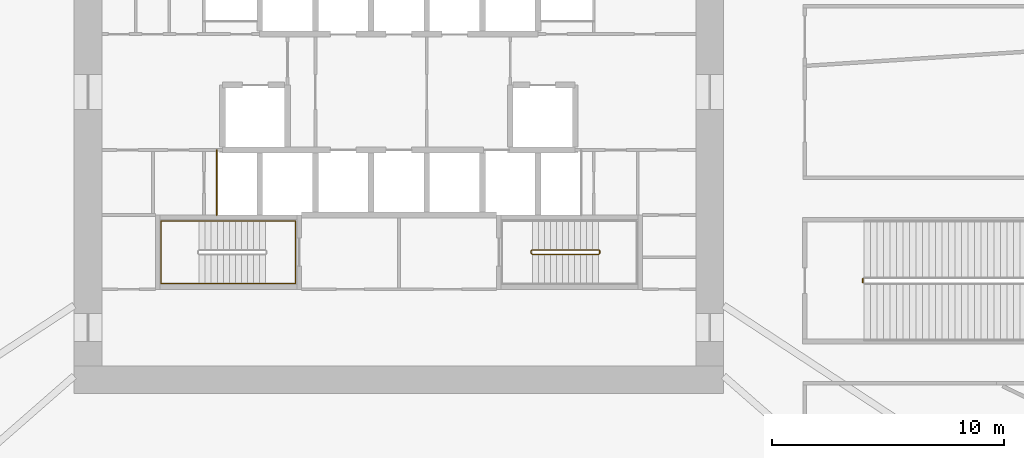
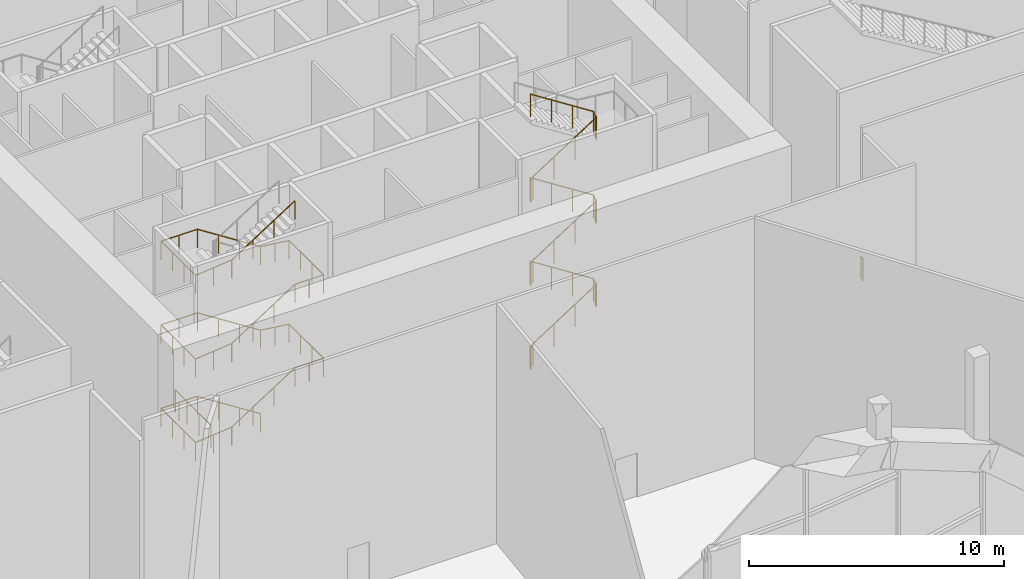
# One storey, part 14 of 21: 4 railings.
"""IFC4 building model written with IfcOpenShell, lengths in metres."""

from ifc_helpers import new_model, si_unit, direction, frame, origin, origin_2d, place, context, subcontext, project, spatial, circle, extrude, source, transform, mapped, material, type_object, element, save


model = new_model("IFC4")

# Units and contexts
model_context = context("Model", 3, precision=1e-05, world=origin(), true_north=direction((0.0, 1.0)))
body_context = subcontext(model_context, "Body", "Model", "MODEL_VIEW")
ifc_project = project(units=[si_unit("LENGTHUNIT", "METRE"), si_unit("AREAUNIT", "SQUARE_METRE"), si_unit("VOLUMEUNIT", "CUBIC_METRE"), si_unit("PLANEANGLEUNIT", "RADIAN"), si_unit("MASSUNIT", "GRAM", prefix="KILO")], contexts=[model_context])

# Site, building, storey
site_placement = place(None, origin())
site = spatial("IfcSite", under=ifc_project, at=site_placement, CompositionType="ELEMENT")
building_placement = place(site_placement, origin())
building = spatial("IfcBuilding", under=site, at=building_placement, Name="Embergate Tower", CompositionType="ELEMENT")
storey_placement = place(building_placement, frame((0.0, 0.0, 12.0)))
storey = spatial("IfcBuildingStorey", under=building, at=storey_placement, Name="L01", CompositionType="ELEMENT", Elevation=12.0)

# Railings
ifc_material_1 = material(Name="Stair handrail 900")
railing_type_1 = type_object("IfcRailingType", Name="Stair handrail 900", PredefinedType="HANDRAIL", material=ifc_material_1)
shared_shape_1 = source(origin(), body_context, "Body", "SweptSolid", [
    extrude(circle(Radius=0.02392578125, at=origin_2d()), frame((0.0, 0.0, 0.8759765625), z_axis=(-0.841899231129, 0.0, 0.539634769658), x_axis=(0.0, -1.0, 0.0)), (0.0, 0.0, 1.0), 3.397216796875),
    extrude(circle(Radius=0.02392578125, at=origin_2d()), frame((-2.860107421875, 0.0, 2.708984375), z_axis=(-1.0, 0.0, 0.0), x_axis=(0.0, -1.0, 0.0)), (0.0, 0.0, 1.0), 1.639892578125),
    extrude(circle(Radius=0.02392578125, at=origin_2d()), frame((-4.5, 0.0, 2.708984375), z_axis=(0.0, -1.0, 0.0), x_axis=(1.0, 0.0, 0.0)), (0.0, 0.0, 1.0), 2.699951171875),
    extrude(circle(Radius=0.02392578125, at=origin_2d()), frame((-4.5, -2.699951171875, 2.708984375), z_axis=(0.99487010061, 0.0, 0.101160678683), x_axis=(0.0, 1.0, 0.0)), (0.0, 0.0, 1.0), 1.6484375),
    extrude(circle(Radius=0.02392578125, at=origin_2d()), frame((-2.860107421875, -2.699951171875, 2.8759765625), z_axis=(0.841899231129, 0.0, 0.539634769658), x_axis=(0.0, 1.0, 0.0)), (0.0, 0.0, 1.0), 3.397216796875),
    extrude(circle(Radius=0.02392578125, at=origin_2d()), frame((0.0, -2.699951171875, 4.708984375), z_axis=(1.0, 0.0, 0.0), x_axis=(0.0, 1.0, 0.0)), (0.0, 0.0, 1.0), 1.300048828125),
    extrude(circle(Radius=0.02392578125, at=origin_2d()), frame((1.300048828125, -2.699951171875, 4.708984375), z_axis=(0.0, 1.0, 0.0), x_axis=(-1.0, 0.0, 0.0)), (0.0, 0.0, 1.0), 2.699951171875),
    extrude(circle(Radius=0.02392578125, at=origin_2d()), frame((1.300048828125, 0.0, 4.708984375), z_axis=(-0.991874434073, 0.0, 0.12722070206), x_axis=(0.0, -1.0, 0.0)), (0.0, 0.0, 1.0), 1.310791015625),
    extrude(circle(Radius=0.02392578125, at=origin_2d()), frame((0.0, 0.0, 4.8759765625), z_axis=(-0.841899231129, 0.0, 0.539634769658), x_axis=(0.0, -1.0, 0.0)), (0.0, 0.0, 1.0), 3.397216796875),
    extrude(circle(Radius=0.02392578125, at=origin_2d()), frame((-2.860107421875, 0.0, 6.708984375), z_axis=(-1.0, 0.0, 0.0), x_axis=(0.0, -1.0, 0.0)), (0.0, 0.0, 1.0), 1.639892578125),
    extrude(circle(Radius=0.02392578125, at=origin_2d()), frame((-4.5, 0.0, 6.708984375), z_axis=(0.0, -1.0, 0.0), x_axis=(1.0, 0.0, 0.0)), (0.0, 0.0, 1.0), 2.699951171875),
    extrude(circle(Radius=0.02392578125, at=origin_2d()), frame((-4.5, -2.699951171875, 6.708984375), z_axis=(0.99487010061, 0.0, 0.101160678683), x_axis=(0.0, 1.0, 0.0)), (0.0, 0.0, 1.0), 1.6484375),
    extrude(circle(Radius=0.02392578125, at=origin_2d()), frame((-2.860107421875, -2.699951171875, 6.8759765625), z_axis=(0.841899231129, 0.0, 0.539634769658), x_axis=(0.0, 1.0, 0.0)), (0.0, 0.0, 1.0), 3.397216796875),
    extrude(circle(Radius=0.02392578125, at=origin_2d()), frame((0.0, -2.699951171875, 8.708984375), z_axis=(1.0, 0.0, 0.0), x_axis=(0.0, 1.0, 0.0)), (0.0, 0.0, 1.0), 1.300048828125),
    extrude(circle(Radius=0.02392578125, at=origin_2d()), frame((1.300048828125, -2.699951171875, 8.708984375), z_axis=(0.0, 1.0, 0.0), x_axis=(-1.0, 0.0, 0.0)), (0.0, 0.0, 1.0), 2.699951171875),
    extrude(circle(Radius=0.02392578125, at=origin_2d()), frame((1.300048828125, 0.0, 8.708984375), z_axis=(-0.991874434073, 0.0, 0.12722070206), x_axis=(0.0, -1.0, 0.0)), (0.0, 0.0, 1.0), 1.310791015625),
    extrude(circle(Radius=0.02392578125, at=origin_2d()), frame((0.0, 0.0, 8.8759765625), z_axis=(-0.841899231129, 0.0, 0.539634769658), x_axis=(0.0, -1.0, 0.0)), (0.0, 0.0, 1.0), 3.397216796875),
    extrude(circle(Radius=0.02392578125, at=origin_2d()), frame((-2.860107421875, 0.0, 10.708984375), z_axis=(-1.0, 0.0, 0.0), x_axis=(0.0, -1.0, 0.0)), (0.0, 0.0, 1.0), 1.639892578125),
    extrude(circle(Radius=0.02392578125, at=origin_2d()), frame((-4.5, 0.0, 10.708984375), z_axis=(0.0, -1.0, 0.0), x_axis=(1.0, 0.0, 0.0)), (0.0, 0.0, 1.0), 2.699951171875),
    extrude(circle(Radius=0.02392578125, at=origin_2d()), frame((-4.5, -2.699951171875, 10.708984375), z_axis=(0.99487010061, 0.0, 0.101160678683), x_axis=(0.0, 1.0, 0.0)), (0.0, 0.0, 1.0), 1.6484375),
    extrude(circle(Radius=0.02392578125, at=origin_2d()), frame((-2.860107421875, -2.699951171875, 10.8759765625), z_axis=(0.841899231129, 0.0, 0.539634769658), x_axis=(0.0, 1.0, 0.0)), (0.0, 0.0, 1.0), 3.397216796875),
    extrude(circle(Radius=0.02099609375, at=origin_2d()), origin(), (0.0, 0.0, 1.0), 0.851806640625),
    extrude(circle(Radius=0.02099609375, at=origin_2d()), frame((-0.953369140625, 0.0, 0.611083984375)), (0.0, 0.0, 1.0), 0.851806640625),
    extrude(circle(Radius=0.02099609375, at=origin_2d()), frame((-1.90673828125, 0.0, 1.22216796875)), (0.0, 0.0, 1.0), 0.851806640625),
    extrude(circle(Radius=0.02099609375, at=origin_2d()), frame((-2.860107421875, 0.0, 1.833251953125)), (0.0, 0.0, 1.0), 0.851806640625),
    extrude(circle(Radius=0.02099609375, at=origin_2d()), frame((-3.68017578125, 0.0, 1.833251953125)), (0.0, 0.0, 1.0), 0.851806640625),
    extrude(circle(Radius=0.02099609375, at=origin_2d()), frame((-4.5, 0.0, 1.833251953125)), (0.0, 0.0, 1.0), 0.851806640625),
    extrude(circle(Radius=0.02099609375, at=origin_2d()), frame((-4.5, -0.89990234375, 1.833251953125)), (0.0, 0.0, 1.0), 0.851806640625),
    extrude(circle(Radius=0.02099609375, at=origin_2d()), frame((-4.5, -1.800048828125, 1.833251953125)), (0.0, 0.0, 1.0), 0.851806640625),
    extrude(circle(Radius=0.02099609375, at=origin_2d()), frame((-4.5, -2.699951171875, 1.833251953125)), (0.0, 0.0, 1.0), 0.851806640625),
    extrude(circle(Radius=0.02099609375, at=origin_2d()), frame((-3.68017578125, -2.699951171875, 1.91650390625)), (0.0, 0.0, 1.0), 0.851806640625),
    extrude(circle(Radius=0.02099609375, at=origin_2d()), frame((-2.860107421875, -2.699951171875, 2.0)), (0.0, 0.0, 1.0), 0.851806640625),
    extrude(circle(Radius=0.02099609375, at=origin_2d()), frame((-1.90673828125, -2.699951171875, 2.611083984375)), (0.0, 0.0, 1.0), 0.851806640625),
    extrude(circle(Radius=0.02099609375, at=origin_2d()), frame((-0.953369140625, -2.699951171875, 3.22216796875)), (0.0, 0.0, 1.0), 0.851806640625),
    extrude(circle(Radius=0.02099609375, at=origin_2d()), frame((0.0, -2.699951171875, 3.833251953125)), (0.0, 0.0, 1.0), 0.851806640625),
    extrude(circle(Radius=0.02099609375, at=origin_2d()), frame((0.64990234375, -2.699951171875, 3.833251953125)), (0.0, 0.0, 1.0), 0.851806640625),
    extrude(circle(Radius=0.02099609375, at=origin_2d()), frame((1.300048828125, -2.699951171875, 3.833251953125)), (0.0, 0.0, 1.0), 0.851806640625),
    extrude(circle(Radius=0.02099609375, at=origin_2d()), frame((1.300048828125, -1.800048828125, 3.833251953125)), (0.0, 0.0, 1.0), 0.851806640625),
    extrude(circle(Radius=0.02099609375, at=origin_2d()), frame((1.300048828125, -0.89990234375, 3.833251953125)), (0.0, 0.0, 1.0), 0.851806640625),
    extrude(circle(Radius=0.02099609375, at=origin_2d()), frame((1.300048828125, 0.0, 3.833251953125)), (0.0, 0.0, 1.0), 0.851806640625),
    extrude(circle(Radius=0.02099609375, at=origin_2d()), frame((0.64990234375, 0.0, 3.91650390625)), (0.0, 0.0, 1.0), 0.851806640625),
    extrude(circle(Radius=0.02099609375, at=origin_2d()), frame((0.0, 0.0, 4.0)), (0.0, 0.0, 1.0), 0.851806640625),
    extrude(circle(Radius=0.02099609375, at=origin_2d()), frame((-0.953369140625, 0.0, 4.611083984375)), (0.0, 0.0, 1.0), 0.851806640625),
    extrude(circle(Radius=0.02099609375, at=origin_2d()), frame((-1.90673828125, 0.0, 5.22216796875)), (0.0, 0.0, 1.0), 0.851806640625),
    extrude(circle(Radius=0.02099609375, at=origin_2d()), frame((-2.860107421875, 0.0, 5.833251953125)), (0.0, 0.0, 1.0), 0.851806640625),
    extrude(circle(Radius=0.02099609375, at=origin_2d()), frame((-3.68017578125, 0.0, 5.833251953125)), (0.0, 0.0, 1.0), 0.851806640625),
    extrude(circle(Radius=0.02099609375, at=origin_2d()), frame((-4.5, 0.0, 5.833251953125)), (0.0, 0.0, 1.0), 0.851806640625),
    extrude(circle(Radius=0.02099609375, at=origin_2d()), frame((-4.5, -0.89990234375, 5.833251953125)), (0.0, 0.0, 1.0), 0.851806640625),
    extrude(circle(Radius=0.02099609375, at=origin_2d()), frame((-4.5, -1.800048828125, 5.833251953125)), (0.0, 0.0, 1.0), 0.851806640625),
    extrude(circle(Radius=0.02099609375, at=origin_2d()), frame((-4.5, -2.699951171875, 5.833251953125)), (0.0, 0.0, 1.0), 0.851806640625),
    extrude(circle(Radius=0.02099609375, at=origin_2d()), frame((-3.68017578125, -2.699951171875, 5.91650390625)), (0.0, 0.0, 1.0), 0.851806640625),
    extrude(circle(Radius=0.02099609375, at=origin_2d()), frame((-2.860107421875, -2.699951171875, 6.0)), (0.0, 0.0, 1.0), 0.851806640625),
    extrude(circle(Radius=0.02099609375, at=origin_2d()), frame((-1.90673828125, -2.699951171875, 6.611083984375)), (0.0, 0.0, 1.0), 0.851806640625),
    extrude(circle(Radius=0.02099609375, at=origin_2d()), frame((-0.953369140625, -2.699951171875, 7.22216796875)), (0.0, 0.0, 1.0), 0.851806640625),
    extrude(circle(Radius=0.02099609375, at=origin_2d()), frame((0.0, -2.699951171875, 7.833251953125)), (0.0, 0.0, 1.0), 0.851806640625),
    extrude(circle(Radius=0.02099609375, at=origin_2d()), frame((0.64990234375, -2.699951171875, 7.833251953125)), (0.0, 0.0, 1.0), 0.851806640625),
    extrude(circle(Radius=0.02099609375, at=origin_2d()), frame((1.300048828125, -2.699951171875, 7.833251953125)), (0.0, 0.0, 1.0), 0.851806640625),
    extrude(circle(Radius=0.02099609375, at=origin_2d()), frame((1.300048828125, -1.800048828125, 7.833251953125)), (0.0, 0.0, 1.0), 0.851806640625),
    extrude(circle(Radius=0.02099609375, at=origin_2d()), frame((1.300048828125, -0.89990234375, 7.833251953125)), (0.0, 0.0, 1.0), 0.851806640625),
    extrude(circle(Radius=0.02099609375, at=origin_2d()), frame((1.300048828125, 0.0, 7.833251953125)), (0.0, 0.0, 1.0), 0.851806640625),
    extrude(circle(Radius=0.02099609375, at=origin_2d()), frame((0.64990234375, 0.0, 7.91650390625)), (0.0, 0.0, 1.0), 0.851806640625),
    extrude(circle(Radius=0.02099609375, at=origin_2d()), frame((0.0, 0.0, 8.0)), (0.0, 0.0, 1.0), 0.851806640625),
    extrude(circle(Radius=0.02099609375, at=origin_2d()), frame((-0.953369140625, 0.0, 8.611083984375)), (0.0, 0.0, 1.0), 0.851806640625),
    extrude(circle(Radius=0.02099609375, at=origin_2d()), frame((-1.90673828125, 0.0, 9.22216796875)), (0.0, 0.0, 1.0), 0.851806640625),
    extrude(circle(Radius=0.02099609375, at=origin_2d()), frame((-2.860107421875, 0.0, 9.833251953125)), (0.0, 0.0, 1.0), 0.851806640625),
    extrude(circle(Radius=0.02099609375, at=origin_2d()), frame((-3.68017578125, 0.0, 9.833251953125)), (0.0, 0.0, 1.0), 0.851806640625),
    extrude(circle(Radius=0.02099609375, at=origin_2d()), frame((-4.5, 0.0, 9.833251953125)), (0.0, 0.0, 1.0), 0.851806640625),
    extrude(circle(Radius=0.02099609375, at=origin_2d()), frame((-4.5, -0.89990234375, 9.833251953125)), (0.0, 0.0, 1.0), 0.851806640625),
    extrude(circle(Radius=0.02099609375, at=origin_2d()), frame((-4.5, -1.800048828125, 9.833251953125)), (0.0, 0.0, 1.0), 0.851806640625),
    extrude(circle(Radius=0.02099609375, at=origin_2d()), frame((-4.5, -2.699951171875, 9.833251953125)), (0.0, 0.0, 1.0), 0.851806640625),
    extrude(circle(Radius=0.02099609375, at=origin_2d()), frame((-3.68017578125, -2.699951171875, 9.91650390625)), (0.0, 0.0, 1.0), 0.851806640625),
    extrude(circle(Radius=0.02099609375, at=origin_2d()), frame((-2.860107421875, -2.699951171875, 10.0)), (0.0, 0.0, 1.0), 0.851806640625),
    extrude(circle(Radius=0.02099609375, at=origin_2d()), frame((-1.90673828125, -2.699951171875, 10.611083984375)), (0.0, 0.0, 1.0), 0.851806640625),
    extrude(circle(Radius=0.02099609375, at=origin_2d()), frame((-0.953369140625, -2.699951171875, 11.22216796875)), (0.0, 0.0, 1.0), 0.851806640625),
    extrude(circle(Radius=0.02099609375, at=origin_2d()), frame((0.0, -2.699951171875, 11.833251953125)), (0.0, 0.0, 1.0), 0.851806640625),
])
railing_1_placement = place(storey_placement, frame((-5.75, -5.550048828125, 0.166748046875)))
element("IfcRailing", 1, at=railing_1_placement, inside=storey, type_object=railing_type_1, Name="L01 ST3 stair handrail 1", PredefinedType="HANDRAIL", context=body_context, shape_type="MappedRepresentation", body=[
    mapped(shared_shape_1, transform((0.0, 0.0, 0.0))),
])
ifc_material_2 = material(Name="Stair guard 1100")
railing_type_2 = type_object("IfcRailingType", Name="Stair guard 1100", PredefinedType="GUARDRAIL", material=ifc_material_2)
shared_shape_2 = source(origin(), body_context, "Body", "SweptSolid", [
    extrude(circle(Radius=0.02392578125, at=origin_2d()), frame((0.0, 0.0, 1.076171875), z_axis=(0.0, -1.0, 0.0), x_axis=(1.0, 0.0, 0.0)), (0.0, 0.0, 1.0), 0.099853515625),
    extrude(circle(Radius=0.02392578125, at=origin_2d()), frame((0.0, -0.099853515625, 1.076171875), z_axis=(0.27628659633, -0.27628659633, 0.920506074601), x_axis=(0.707106781187, 0.707106781187, 0.0)), (0.0, 0.0, 1.0), 0.18115234375),
    extrude(circle(Radius=0.02392578125, at=origin_2d()), frame((0.050048828125, -0.14990234375, 1.24267578125), z_axis=(0.841899231129, 0.0, 0.539634769658), x_axis=(0.0, 1.0, 0.0)), (0.0, 0.0, 1.0), 3.397216796875),
    extrude(circle(Radius=0.02392578125, at=origin_2d()), frame((2.91015625, -0.14990234375, 3.076171875), z_axis=(0.705375805398, 0.708833529934, 0.0), x_axis=(-0.708833529934, 0.705375805398, 0.0)), (0.0, 0.0, 1.0), 0.070556640625),
    extrude(circle(Radius=0.02392578125, at=origin_2d()), frame((2.9599609375, -0.099853515625, 3.076171875), z_axis=(0.0, 1.0, 0.0), x_axis=(-1.0, 0.0, 0.0)), (0.0, 0.0, 1.0), 0.099853515625),
    extrude(circle(Radius=0.02392578125, at=origin_2d()), frame((2.9599609375, 0.0, 3.076171875), z_axis=(-0.275041040955, 0.276389281352, 0.920848191041), x_axis=(-0.708833529934, -0.705375805398, 0.0)), (0.0, 0.0, 1.0), 0.18115234375),
    extrude(circle(Radius=0.02392578125, at=origin_2d()), frame((2.91015625, 0.050048828125, 3.24267578125), z_axis=(-0.841899231129, 0.0, 0.539634769658), x_axis=(0.0, -1.0, 0.0)), (0.0, 0.0, 1.0), 3.397216796875),
    extrude(circle(Radius=0.02392578125, at=origin_2d()), frame((0.050048828125, 0.050048828125, 5.076171875), z_axis=(-0.707106781187, -0.707106781187, 0.0), x_axis=(0.707106781187, -0.707106781187, 0.0)), (0.0, 0.0, 1.0), 0.07080078125),
    extrude(circle(Radius=0.02392578125, at=origin_2d()), frame((0.0, 0.0, 5.076171875), z_axis=(0.0, -1.0, 0.0), x_axis=(1.0, 0.0, 0.0)), (0.0, 0.0, 1.0), 0.099853515625),
    extrude(circle(Radius=0.02392578125, at=origin_2d()), frame((0.0, -0.099853515625, 5.076171875), z_axis=(0.27628659633, -0.27628659633, 0.920506074601), x_axis=(0.707106781187, 0.707106781187, 0.0)), (0.0, 0.0, 1.0), 0.18115234375),
    extrude(circle(Radius=0.02392578125, at=origin_2d()), frame((0.050048828125, -0.14990234375, 5.24267578125), z_axis=(0.841899231129, 0.0, 0.539634769658), x_axis=(0.0, 1.0, 0.0)), (0.0, 0.0, 1.0), 3.397216796875),
    extrude(circle(Radius=0.02392578125, at=origin_2d()), frame((2.91015625, -0.14990234375, 7.076171875), z_axis=(0.705375805398, 0.708833529934, 0.0), x_axis=(-0.708833529934, 0.705375805398, 0.0)), (0.0, 0.0, 1.0), 0.070556640625),
    extrude(circle(Radius=0.02392578125, at=origin_2d()), frame((2.9599609375, -0.099853515625, 7.076171875), z_axis=(0.0, 1.0, 0.0), x_axis=(-1.0, 0.0, 0.0)), (0.0, 0.0, 1.0), 0.099853515625),
    extrude(circle(Radius=0.02392578125, at=origin_2d()), frame((2.9599609375, 0.0, 7.076171875), z_axis=(-0.275041040955, 0.276389281352, 0.920848191041), x_axis=(-0.708833529934, -0.705375805398, 0.0)), (0.0, 0.0, 1.0), 0.18115234375),
    extrude(circle(Radius=0.02392578125, at=origin_2d()), frame((2.91015625, 0.050048828125, 7.24267578125), z_axis=(-0.841899231129, 0.0, 0.539634769658), x_axis=(0.0, -1.0, 0.0)), (0.0, 0.0, 1.0), 3.397216796875),
    extrude(circle(Radius=0.02392578125, at=origin_2d()), frame((0.050048828125, 0.050048828125, 9.076171875), z_axis=(-0.707106781187, -0.707106781187, 0.0), x_axis=(0.707106781187, -0.707106781187, 0.0)), (0.0, 0.0, 1.0), 0.07080078125),
    extrude(circle(Radius=0.02392578125, at=origin_2d()), frame((0.0, 0.0, 9.076171875), z_axis=(0.0, -1.0, 0.0), x_axis=(1.0, 0.0, 0.0)), (0.0, 0.0, 1.0), 0.099853515625),
    extrude(circle(Radius=0.02392578125, at=origin_2d()), frame((0.0, -0.099853515625, 9.076171875), z_axis=(0.27628659633, -0.27628659633, 0.920506074601), x_axis=(0.707106781187, 0.707106781187, 0.0)), (0.0, 0.0, 1.0), 0.18115234375),
    extrude(circle(Radius=0.02392578125, at=origin_2d()), frame((0.050048828125, -0.14990234375, 9.24267578125), z_axis=(0.841899231129, 0.0, 0.539634769658), x_axis=(0.0, 1.0, 0.0)), (0.0, 0.0, 1.0), 3.397216796875),
    extrude(circle(Radius=0.02392578125, at=origin_2d()), frame((2.91015625, -0.14990234375, 11.076171875), z_axis=(0.705375805398, 0.708833529934, 0.0), x_axis=(-0.708833529934, 0.705375805398, 0.0)), (0.0, 0.0, 1.0), 0.070556640625),
    extrude(circle(Radius=0.02392578125, at=origin_2d()), frame((2.9599609375, -0.099853515625, 11.076171875), z_axis=(0.0, 1.0, 0.0), x_axis=(-1.0, 0.0, 0.0)), (0.0, 0.0, 1.0), 0.099853515625),
    extrude(circle(Radius=0.02392578125, at=origin_2d()), frame((2.9599609375, 0.0, 11.076171875), z_axis=(-0.275041040955, 0.276389281352, 0.920848191041), x_axis=(-0.708833529934, -0.705375805398, 0.0)), (0.0, 0.0, 1.0), 0.18115234375),
    extrude(circle(Radius=0.02392578125, at=origin_2d()), frame((2.91015625, 0.050048828125, 11.24267578125), z_axis=(-0.841899231129, 0.0, 0.539634769658), x_axis=(0.0, -1.0, 0.0)), (0.0, 0.0, 1.0), 3.397216796875),
    extrude(circle(Radius=0.02099609375, at=origin_2d()), origin(), (0.0, 0.0, 1.0), 1.052001953125),
    extrude(circle(Radius=0.02099609375, at=origin_2d()), frame((0.0, -0.099853515625, 0.0)), (0.0, 0.0, 1.0), 1.052001953125),
    extrude(circle(Radius=0.02099609375, at=origin_2d()), frame((0.050048828125, -0.14990234375, 0.166748046875)), (0.0, 0.0, 1.0), 1.052001953125),
    extrude(circle(Radius=0.02099609375, at=origin_2d()), frame((1.00341796875, -0.14990234375, 0.77783203125)), (0.0, 0.0, 1.0), 1.052001953125),
    extrude(circle(Radius=0.02099609375, at=origin_2d()), frame((1.956787109375, -0.14990234375, 1.388916015625)), (0.0, 0.0, 1.0), 1.052001953125),
    extrude(circle(Radius=0.02099609375, at=origin_2d()), frame((2.91015625, -0.14990234375, 2.0)), (0.0, 0.0, 1.0), 1.052001953125),
    extrude(circle(Radius=0.02099609375, at=origin_2d()), frame((2.9599609375, -0.099853515625, 2.0)), (0.0, 0.0, 1.0), 1.052001953125),
    extrude(circle(Radius=0.02099609375, at=origin_2d()), frame((2.9599609375, 0.0, 2.0)), (0.0, 0.0, 1.0), 1.052001953125),
    extrude(circle(Radius=0.02099609375, at=origin_2d()), frame((2.91015625, 0.050048828125, 2.166748046875)), (0.0, 0.0, 1.0), 1.052001953125),
    extrude(circle(Radius=0.02099609375, at=origin_2d()), frame((1.956787109375, 0.050048828125, 2.77783203125)), (0.0, 0.0, 1.0), 1.052001953125),
    extrude(circle(Radius=0.02099609375, at=origin_2d()), frame((1.00341796875, 0.050048828125, 3.388916015625)), (0.0, 0.0, 1.0), 1.052001953125),
    extrude(circle(Radius=0.02099609375, at=origin_2d()), frame((0.050048828125, 0.050048828125, 4.0)), (0.0, 0.0, 1.0), 1.052001953125),
    extrude(circle(Radius=0.02099609375, at=origin_2d()), frame((0.0, 0.0, 4.0)), (0.0, 0.0, 1.0), 1.052001953125),
    extrude(circle(Radius=0.02099609375, at=origin_2d()), frame((0.0, -0.099853515625, 4.0)), (0.0, 0.0, 1.0), 1.052001953125),
    extrude(circle(Radius=0.02099609375, at=origin_2d()), frame((0.050048828125, -0.14990234375, 4.166748046875)), (0.0, 0.0, 1.0), 1.052001953125),
    extrude(circle(Radius=0.02099609375, at=origin_2d()), frame((1.00341796875, -0.14990234375, 4.77783203125)), (0.0, 0.0, 1.0), 1.052001953125),
    extrude(circle(Radius=0.02099609375, at=origin_2d()), frame((1.956787109375, -0.14990234375, 5.388916015625)), (0.0, 0.0, 1.0), 1.052001953125),
    extrude(circle(Radius=0.02099609375, at=origin_2d()), frame((2.91015625, -0.14990234375, 6.0)), (0.0, 0.0, 1.0), 1.052001953125),
    extrude(circle(Radius=0.02099609375, at=origin_2d()), frame((2.9599609375, -0.099853515625, 6.0)), (0.0, 0.0, 1.0), 1.052001953125),
    extrude(circle(Radius=0.02099609375, at=origin_2d()), frame((2.9599609375, 0.0, 6.0)), (0.0, 0.0, 1.0), 1.052001953125),
    extrude(circle(Radius=0.02099609375, at=origin_2d()), frame((2.91015625, 0.050048828125, 6.166748046875)), (0.0, 0.0, 1.0), 1.052001953125),
    extrude(circle(Radius=0.02099609375, at=origin_2d()), frame((1.956787109375, 0.050048828125, 6.77783203125)), (0.0, 0.0, 1.0), 1.052001953125),
    extrude(circle(Radius=0.02099609375, at=origin_2d()), frame((1.00341796875, 0.050048828125, 7.388916015625)), (0.0, 0.0, 1.0), 1.052001953125),
    extrude(circle(Radius=0.02099609375, at=origin_2d()), frame((0.050048828125, 0.050048828125, 8.0)), (0.0, 0.0, 1.0), 1.052001953125),
    extrude(circle(Radius=0.02099609375, at=origin_2d()), frame((0.0, 0.0, 8.0)), (0.0, 0.0, 1.0), 1.052001953125),
    extrude(circle(Radius=0.02099609375, at=origin_2d()), frame((0.0, -0.099853515625, 8.0)), (0.0, 0.0, 1.0), 1.052001953125),
    extrude(circle(Radius=0.02099609375, at=origin_2d()), frame((0.050048828125, -0.14990234375, 8.166748046875)), (0.0, 0.0, 1.0), 1.052001953125),
    extrude(circle(Radius=0.02099609375, at=origin_2d()), frame((1.00341796875, -0.14990234375, 8.77783203125)), (0.0, 0.0, 1.0), 1.052001953125),
    extrude(circle(Radius=0.02099609375, at=origin_2d()), frame((1.956787109375, -0.14990234375, 9.388916015625)), (0.0, 0.0, 1.0), 1.052001953125),
    extrude(circle(Radius=0.02099609375, at=origin_2d()), frame((2.91015625, -0.14990234375, 10.0)), (0.0, 0.0, 1.0), 1.052001953125),
    extrude(circle(Radius=0.02099609375, at=origin_2d()), frame((2.9599609375, -0.099853515625, 10.0)), (0.0, 0.0, 1.0), 1.052001953125),
    extrude(circle(Radius=0.02099609375, at=origin_2d()), frame((2.9599609375, 0.0, 10.0)), (0.0, 0.0, 1.0), 1.052001953125),
    extrude(circle(Radius=0.02099609375, at=origin_2d()), frame((2.91015625, 0.050048828125, 10.166748046875)), (0.0, 0.0, 1.0), 1.052001953125),
    extrude(circle(Radius=0.02099609375, at=origin_2d()), frame((1.956787109375, 0.050048828125, 10.77783203125)), (0.0, 0.0, 1.0), 1.052001953125),
    extrude(circle(Radius=0.02099609375, at=origin_2d()), frame((1.00341796875, 0.050048828125, 11.388916015625)), (0.0, 0.0, 1.0), 1.052001953125),
    extrude(circle(Radius=0.02099609375, at=origin_2d()), frame((0.050048828125, 0.050048828125, 12.0)), (0.0, 0.0, 1.0), 1.052001953125),
])
railing_2_placement = place(storey_placement, frame((5.699951171875, -6.85009765625, 0.0)))
element("IfcRailing", 2, at=railing_2_placement, inside=storey, type_object=railing_type_2, Name="L01 ST4 stair guard 1", PredefinedType="GUARDRAIL", context=body_context, shape_type="MappedRepresentation", body=[
    mapped(shared_shape_2, transform((0.0, 0.0, 0.0))),
])
ifc_material_3 = material(Name="Opening guard 1100")
railing_type_3 = type_object("IfcRailingType", Name="Opening guard 1100", PredefinedType="GUARDRAIL", material=ifc_material_3)
shared_shape_3 = source(origin(), body_context, "Body", "SweptSolid", [
    extrude(circle(Radius=0.02392578125, at=origin_2d()), frame((0.0, 0.0, 1.076171875), z_axis=(0.0, 1.0, 0.0), x_axis=(-1.0, 0.0, 0.0)), (0.0, 0.0, 1.0), 2.800048828125),
    extrude(circle(Radius=0.02099609375, at=origin_2d()), origin(), (0.0, 0.0, 1.0), 1.052001953125),
    extrude(circle(Radius=0.02099609375, at=origin_2d()), frame((0.0, 0.933349609375, 0.0)), (0.0, 0.0, 1.0), 1.052001953125),
    extrude(circle(Radius=0.02099609375, at=origin_2d()), frame((0.0, 1.86669921875, 0.0)), (0.0, 0.0, 1.0), 1.052001953125),
    extrude(circle(Radius=0.02099609375, at=origin_2d()), frame((0.0, 2.800048828125, 0.0)), (0.0, 0.0, 1.0), 1.052001953125),
])
railing_3_placement = place(storey_placement, frame((-7.85009765625, -5.300048828125, 0.0)))
element("IfcRailing", 3, at=railing_3_placement, inside=storey, type_object=railing_type_3, Name="Riser opening guard", PredefinedType="GUARDRAIL", context=body_context, shape_type="MappedRepresentation", body=[
    mapped(shared_shape_3, transform((0.0, 0.0, 0.0))),
])
ifc_material_4 = material(Name="Steel", Category="steel")
railing_type_4 = type_object("IfcRailingType", Name="Podium stair guard 1100", PredefinedType="GUARDRAIL", material=ifc_material_4)
shared_shape_4 = source(origin(), body_context, "Body", "SweptSolid", [
    extrude(circle(Radius=0.02392578125, at=origin_2d()), frame((0.0, 0.0, 1.076171875), z_axis=(0.0, 1.0, 0.0), x_axis=(-1.0, 0.0, 0.0)), (0.0, 0.0, 1.0), 0.14990234375),
    extrude(circle(Radius=0.02099609375, at=origin_2d()), origin(), (0.0, 0.0, 1.0), 1.052001953125),
    extrude(circle(Radius=0.02099609375, at=origin_2d()), frame((0.0, 0.14990234375, 0.0)), (0.0, 0.0, 1.0), 1.052001953125),
])
railing_4_placement = place(storey_placement, frame((20.0, -8.199951171875, 0.0)))
element("IfcRailing", 4, at=railing_4_placement, inside=storey, type_object=railing_type_4, Name="L01 P2 stair guard 4", PredefinedType="GUARDRAIL", context=body_context, shape_type="MappedRepresentation", body=[
    mapped(shared_shape_4, transform((0.0, 0.0, 0.0))),
])

save(model, "model.ifc")
